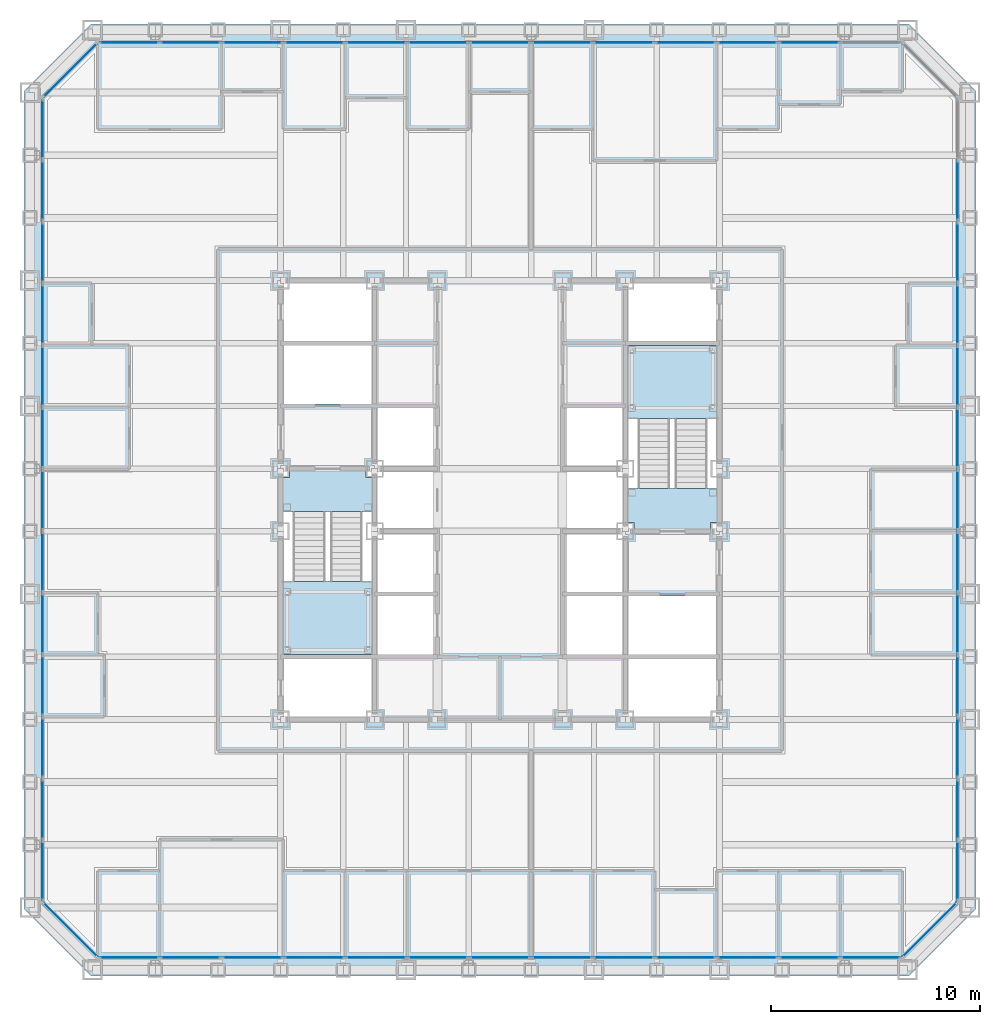
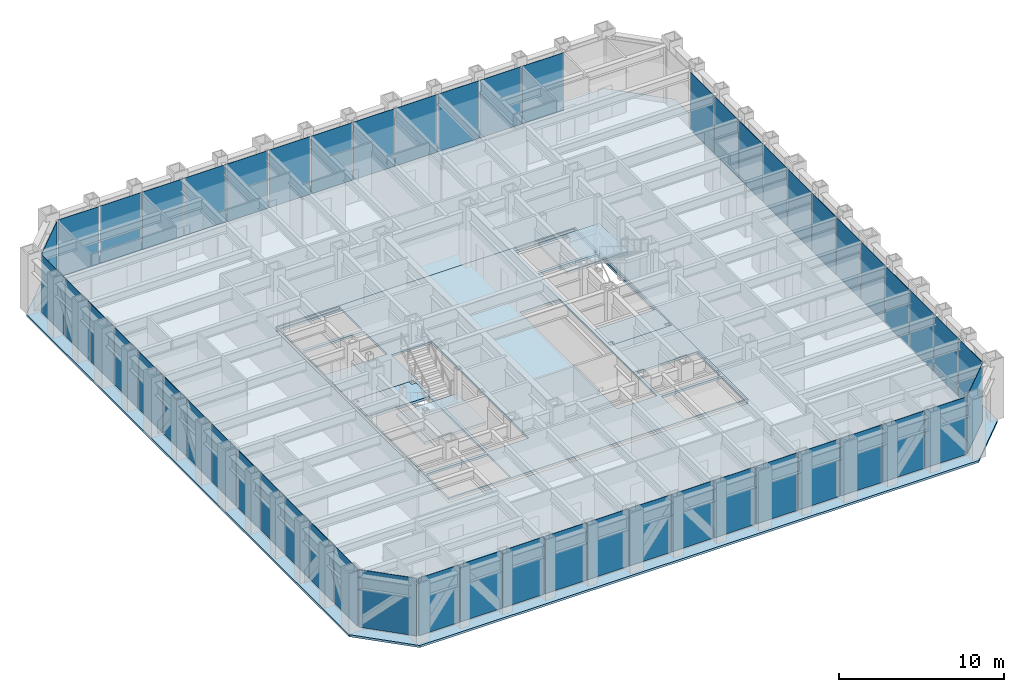
# One storey, part 7 of 16: 53 plates, 6 slabs, 9 elements without a shape of their own.
"""IFC4 building model written with IfcOpenShell, lengths in metres."""

from ifc_helpers import new_model, si_unit, direction, frame, origin, origin_2d, place, context, subcontext, project, spatial, polyline, rectangle, outline, extrude, material, layer, layer_set, type_object, element, aggregate, save


model = new_model("IFC4")

# Units and contexts
model_context = context("Model", 3, precision=1e-05, world=origin(), true_north=direction((0.0, 1.0)))
body_context = subcontext(model_context, "Body", "Model", "MODEL_VIEW")
ifc_project = project(units=[si_unit("LENGTHUNIT", "METRE"), si_unit("AREAUNIT", "SQUARE_METRE"), si_unit("VOLUMEUNIT", "CUBIC_METRE"), si_unit("PLANEANGLEUNIT", "RADIAN"), si_unit("MASSUNIT", "GRAM", prefix="KILO")], contexts=[model_context])

# Site, building, storey
site_placement = place(None, origin())
site = spatial("IfcSite", under=ifc_project, at=site_placement, CompositionType="ELEMENT")
building_placement = place(site_placement, origin())
building = spatial("IfcBuilding", under=site, at=building_placement, Name="Chuquiago Exchange Tower", CompositionType="ELEMENT")
storey_placement = place(building_placement, frame((0.0, 0.0, 60.300048828125)))
storey = spatial("IfcBuildingStorey", under=building, at=storey_placement, Name="L12", CompositionType="ELEMENT", Elevation=60.300048828125)

# Curtain wall, plates
ifc_material_1 = material(Name="Aluminium curtain wall system", Category="aluminium")
ifc_layer_1 = layer(ifc_material_1, 0.25)
ifc_layer_set_1 = layer_set([ifc_layer_1], Name="CW1 trading floor curtain wall")
curtain_wall_type_1 = type_object("IfcCurtainWallType", Name="CW1 trading floor curtain wall", PredefinedType="NOTDEFINED", material=ifc_layer_set_1)
curtain_wall_1_placement = place(storey_placement, origin())
curtain_wall_1 = element("IfcCurtainWall", 1, at=curtain_wall_1_placement, inside=storey, type_object=curtain_wall_type_1, Name="CW1 curtain wall L12", PredefinedType="NOTDEFINED")
ifc_material_2 = material(Name="Glass, insulating unit", Category="glass")
ifc_layer_2 = layer(ifc_material_2, 0.031982421875)
ifc_layer_set_2 = layer_set([ifc_layer_2], Name="CW1-P panel 32")
plate_type_1 = type_object("IfcPlateType", Name="CW1-P panel 32", PredefinedType="CURTAIN_PANEL", material=ifc_layer_set_2)
plate_1_placement = place(storey_placement, frame((10.65283203125, 0.60009765625, -0.22509765625), z_axis=(0.0, 0.0, 1.0), x_axis=(1.0, 0.0, 0.0)))
plate_1 = element("IfcPlate", 2, at=plate_1_placement, type_object=plate_type_1, Name="CW1 panel 3.1", PredefinedType="CURTAIN_PANEL", context=body_context, shape_type="SweptSolid", body=[
    extrude(rectangle(XDim=2.88671875, YDim=0.031982421875, at=origin_2d()), origin(), (0.0, 0.0, 1.0), 4.264892578125),
])
plate_2_placement = place(storey_placement, frame((13.61474609375, 0.60009765625, -0.22509765625), z_axis=(0.0, 0.0, 1.0), x_axis=(1.0, 0.0, 0.0)))
plate_2 = element("IfcPlate", 3, at=plate_2_placement, type_object=plate_type_1, Name="CW1 panel 4.1", PredefinedType="CURTAIN_PANEL", context=body_context, shape_type="SweptSolid", body=[
    extrude(rectangle(XDim=2.88671875, YDim=0.031982421875, at=origin_2d()), origin(), (0.0, 0.0, 1.0), 4.264892578125),
])
plate_3_placement = place(storey_placement, frame((16.576416015625, 0.60009765625, -0.22509765625), z_axis=(0.0, 0.0, 1.0), x_axis=(1.0, 0.0, 0.0)))
plate_3 = element("IfcPlate", 4, at=plate_3_placement, type_object=plate_type_1, Name="CW1 panel 5.1", PredefinedType="CURTAIN_PANEL", context=body_context, shape_type="SweptSolid", body=[
    extrude(rectangle(XDim=2.88671875, YDim=0.031982421875, at=origin_2d()), origin(), (0.0, 0.0, 1.0), 4.264892578125),
])
plate_4_placement = place(storey_placement, frame((25.461669921875, 0.60009765625, -0.22509765625), z_axis=(0.0, 0.0, 1.0), x_axis=(1.0, 0.0, 0.0)))
plate_4 = element("IfcPlate", 5, at=plate_4_placement, type_object=plate_type_1, Name="CW1 panel 8.1", PredefinedType="CURTAIN_PANEL", context=body_context, shape_type="SweptSolid", body=[
    extrude(rectangle(XDim=2.88671875, YDim=0.031982421875, at=origin_2d()), origin(), (0.0, 0.0, 1.0), 4.264892578125),
])
plate_5_placement = place(storey_placement, frame((28.423583984375, 0.60009765625, -0.22509765625), z_axis=(0.0, 0.0, 1.0), x_axis=(1.0, 0.0, 0.0)))
plate_5 = element("IfcPlate", 6, at=plate_5_placement, type_object=plate_type_1, Name="CW1 panel 9.1", PredefinedType="CURTAIN_PANEL", context=body_context, shape_type="SweptSolid", body=[
    extrude(rectangle(XDim=2.88671875, YDim=0.031982421875, at=origin_2d()), origin(), (0.0, 0.0, 1.0), 4.264892578125),
])
plate_6_placement = place(storey_placement, frame((31.38525390625, 0.60009765625, -0.22509765625), z_axis=(0.0, 0.0, 1.0), x_axis=(1.0, 0.0, 0.0)))
plate_6 = element("IfcPlate", 7, at=plate_6_placement, type_object=plate_type_1, Name="CW1 panel 10.1", PredefinedType="CURTAIN_PANEL", context=body_context, shape_type="SweptSolid", body=[
    extrude(rectangle(XDim=2.88671875, YDim=0.031982421875, at=origin_2d()), origin(), (0.0, 0.0, 1.0), 4.264892578125),
])
plate_7_placement = place(storey_placement, frame((34.34716796875, 0.60009765625, -0.22509765625), z_axis=(0.0, 0.0, 1.0), x_axis=(1.0, 0.0, 0.0)))
plate_7 = element("IfcPlate", 8, at=plate_7_placement, type_object=plate_type_1, Name="CW1 panel 11.1", PredefinedType="CURTAIN_PANEL", context=body_context, shape_type="SweptSolid", body=[
    extrude(rectangle(XDim=2.88671875, YDim=0.031982421875, at=origin_2d()), origin(), (0.0, 0.0, 1.0), 4.264892578125),
])

curtain_wall_2_placement = place(storey_placement, origin())
curtain_wall_2 = element("IfcCurtainWall", 9, at=curtain_wall_2_placement, inside=storey, type_object=curtain_wall_type_1, Name="CW1 curtain wall L12", PredefinedType="NOTDEFINED")
plate_8_placement = place(storey_placement, frame((44.39990234375, 10.65283203125, -0.22509765625), z_axis=(0.0, 0.0, 1.0), x_axis=(0.0, 1.0, 0.0)))
plate_8 = element("IfcPlate", 10, at=plate_8_placement, type_object=plate_type_1, Name="CW1 panel 3.1", PredefinedType="CURTAIN_PANEL", context=body_context, shape_type="SweptSolid", body=[
    extrude(rectangle(XDim=2.88671875, YDim=0.031982421875, at=origin_2d()), origin(), (0.0, 0.0, 1.0), 4.264892578125),
])
plate_9_placement = place(storey_placement, frame((44.39990234375, 13.61474609375, -0.22509765625), z_axis=(0.0, 0.0, 1.0), x_axis=(0.0, 1.0, 0.0)))
plate_9 = element("IfcPlate", 11, at=plate_9_placement, type_object=plate_type_1, Name="CW1 panel 4.1", PredefinedType="CURTAIN_PANEL", context=body_context, shape_type="SweptSolid", body=[
    extrude(rectangle(XDim=2.88671875, YDim=0.031982421875, at=origin_2d()), origin(), (0.0, 0.0, 1.0), 4.264892578125),
])
plate_10_placement = place(storey_placement, frame((44.39990234375, 16.576416015625, -0.22509765625), z_axis=(0.0, 0.0, 1.0), x_axis=(0.0, 1.0, 0.0)))
plate_10 = element("IfcPlate", 12, at=plate_10_placement, type_object=plate_type_1, Name="CW1 panel 5.1", PredefinedType="CURTAIN_PANEL", context=body_context, shape_type="SweptSolid", body=[
    extrude(rectangle(XDim=2.88671875, YDim=0.031982421875, at=origin_2d()), origin(), (0.0, 0.0, 1.0), 4.264892578125),
])
plate_11_placement = place(storey_placement, frame((44.39990234375, 25.461669921875, -0.22509765625), z_axis=(0.0, 0.0, 1.0), x_axis=(0.0, 1.0, 0.0)))
plate_11 = element("IfcPlate", 13, at=plate_11_placement, type_object=plate_type_1, Name="CW1 panel 8.1", PredefinedType="CURTAIN_PANEL", context=body_context, shape_type="SweptSolid", body=[
    extrude(rectangle(XDim=2.88671875, YDim=0.031982421875, at=origin_2d()), origin(), (0.0, 0.0, 1.0), 4.264892578125),
])
plate_12_placement = place(storey_placement, frame((44.39990234375, 28.423583984375, -0.22509765625), z_axis=(0.0, 0.0, 1.0), x_axis=(0.0, 1.0, 0.0)))
plate_12 = element("IfcPlate", 14, at=plate_12_placement, type_object=plate_type_1, Name="CW1 panel 9.1", PredefinedType="CURTAIN_PANEL", context=body_context, shape_type="SweptSolid", body=[
    extrude(rectangle(XDim=2.88671875, YDim=0.031982421875, at=origin_2d()), origin(), (0.0, 0.0, 1.0), 4.264892578125),
])
plate_13_placement = place(storey_placement, frame((44.39990234375, 31.38525390625, -0.22509765625), z_axis=(0.0, 0.0, 1.0), x_axis=(0.0, 1.0, 0.0)))
plate_13 = element("IfcPlate", 15, at=plate_13_placement, type_object=plate_type_1, Name="CW1 panel 10.1", PredefinedType="CURTAIN_PANEL", context=body_context, shape_type="SweptSolid", body=[
    extrude(rectangle(XDim=2.88671875, YDim=0.031982421875, at=origin_2d()), origin(), (0.0, 0.0, 1.0), 4.264892578125),
])
plate_14_placement = place(storey_placement, frame((44.39990234375, 34.34716796875, -0.22509765625), z_axis=(0.0, 0.0, 1.0), x_axis=(0.0, 1.0, 0.0)))
plate_14 = element("IfcPlate", 16, at=plate_14_placement, type_object=plate_type_1, Name="CW1 panel 11.1", PredefinedType="CURTAIN_PANEL", context=body_context, shape_type="SweptSolid", body=[
    extrude(rectangle(XDim=2.88671875, YDim=0.031982421875, at=origin_2d()), origin(), (0.0, 0.0, 1.0), 4.264892578125),
])

curtain_wall_3_placement = place(storey_placement, origin())
curtain_wall_3 = element("IfcCurtainWall", 17, at=curtain_wall_3_placement, inside=storey, type_object=curtain_wall_type_1, Name="CW1 curtain wall L12", PredefinedType="NOTDEFINED")
plate_15_placement = place(storey_placement, frame((34.34716796875, 44.39990234375, -0.22509765625), z_axis=(0.0, 0.0, 1.0), x_axis=(-1.0, 0.0, 0.0)))
plate_15 = element("IfcPlate", 18, at=plate_15_placement, type_object=plate_type_1, Name="CW1 panel 3.1", PredefinedType="CURTAIN_PANEL", context=body_context, shape_type="SweptSolid", body=[
    extrude(rectangle(XDim=2.88671875, YDim=0.031982421875, at=origin_2d()), origin(), (0.0, 0.0, 1.0), 4.264892578125),
])
plate_16_placement = place(storey_placement, frame((31.38525390625, 44.39990234375, -0.22509765625), z_axis=(0.0, 0.0, 1.0), x_axis=(-1.0, 0.0, 0.0)))
plate_16 = element("IfcPlate", 19, at=plate_16_placement, type_object=plate_type_1, Name="CW1 panel 4.1", PredefinedType="CURTAIN_PANEL", context=body_context, shape_type="SweptSolid", body=[
    extrude(rectangle(XDim=2.88671875, YDim=0.031982421875, at=origin_2d()), origin(), (0.0, 0.0, 1.0), 4.264892578125),
])
plate_17_placement = place(storey_placement, frame((28.423583984375, 44.39990234375, -0.22509765625), z_axis=(0.0, 0.0, 1.0), x_axis=(-1.0, 0.0, 0.0)))
plate_17 = element("IfcPlate", 20, at=plate_17_placement, type_object=plate_type_1, Name="CW1 panel 5.1", PredefinedType="CURTAIN_PANEL", context=body_context, shape_type="SweptSolid", body=[
    extrude(rectangle(XDim=2.88671875, YDim=0.031982421875, at=origin_2d()), origin(), (0.0, 0.0, 1.0), 4.264892578125),
])
plate_18_placement = place(storey_placement, frame((19.538330078125, 44.39990234375, -0.22509765625), z_axis=(0.0, 0.0, 1.0), x_axis=(-1.0, 0.0, 0.0)))
plate_18 = element("IfcPlate", 21, at=plate_18_placement, type_object=plate_type_1, Name="CW1 panel 8.1", PredefinedType="CURTAIN_PANEL", context=body_context, shape_type="SweptSolid", body=[
    extrude(rectangle(XDim=2.88671875, YDim=0.031982421875, at=origin_2d()), origin(), (0.0, 0.0, 1.0), 4.264892578125),
])
plate_19_placement = place(storey_placement, frame((16.576416015625, 44.39990234375, -0.22509765625), z_axis=(0.0, 0.0, 1.0), x_axis=(-1.0, 0.0, 0.0)))
plate_19 = element("IfcPlate", 22, at=plate_19_placement, type_object=plate_type_1, Name="CW1 panel 9.1", PredefinedType="CURTAIN_PANEL", context=body_context, shape_type="SweptSolid", body=[
    extrude(rectangle(XDim=2.88671875, YDim=0.031982421875, at=origin_2d()), origin(), (0.0, 0.0, 1.0), 4.264892578125),
])
plate_20_placement = place(storey_placement, frame((13.61474609375, 44.39990234375, -0.22509765625), z_axis=(0.0, 0.0, 1.0), x_axis=(-1.0, 0.0, 0.0)))
plate_20 = element("IfcPlate", 23, at=plate_20_placement, type_object=plate_type_1, Name="CW1 panel 10.1", PredefinedType="CURTAIN_PANEL", context=body_context, shape_type="SweptSolid", body=[
    extrude(rectangle(XDim=2.88671875, YDim=0.031982421875, at=origin_2d()), origin(), (0.0, 0.0, 1.0), 4.264892578125),
])
plate_21_placement = place(storey_placement, frame((10.65283203125, 44.39990234375, -0.22509765625), z_axis=(0.0, 0.0, 1.0), x_axis=(-1.0, 0.0, 0.0)))
plate_21 = element("IfcPlate", 24, at=plate_21_placement, type_object=plate_type_1, Name="CW1 panel 11.1", PredefinedType="CURTAIN_PANEL", context=body_context, shape_type="SweptSolid", body=[
    extrude(rectangle(XDim=2.88671875, YDim=0.031982421875, at=origin_2d()), origin(), (0.0, 0.0, 1.0), 4.264892578125),
])

curtain_wall_4_placement = place(storey_placement, origin())
curtain_wall_4 = element("IfcCurtainWall", 25, at=curtain_wall_4_placement, inside=storey, type_object=curtain_wall_type_1, Name="CW1 curtain wall L12", PredefinedType="NOTDEFINED")
plate_22_placement = place(storey_placement, frame((0.60009765625, 34.34716796875, -0.22509765625), z_axis=(0.0, 0.0, 1.0), x_axis=(0.0, -1.0, 0.0)))
plate_22 = element("IfcPlate", 26, at=plate_22_placement, type_object=plate_type_1, Name="CW1 panel 3.1", PredefinedType="CURTAIN_PANEL", context=body_context, shape_type="SweptSolid", body=[
    extrude(rectangle(XDim=2.88671875, YDim=0.031982421875, at=origin_2d()), origin(), (0.0, 0.0, 1.0), 4.264892578125),
])
plate_23_placement = place(storey_placement, frame((0.60009765625, 31.38525390625, -0.22509765625), z_axis=(0.0, 0.0, 1.0), x_axis=(0.0, -1.0, 0.0)))
plate_23 = element("IfcPlate", 27, at=plate_23_placement, type_object=plate_type_1, Name="CW1 panel 4.1", PredefinedType="CURTAIN_PANEL", context=body_context, shape_type="SweptSolid", body=[
    extrude(rectangle(XDim=2.88671875, YDim=0.031982421875, at=origin_2d()), origin(), (0.0, 0.0, 1.0), 4.264892578125),
])
plate_24_placement = place(storey_placement, frame((0.60009765625, 28.423583984375, -0.22509765625), z_axis=(0.0, 0.0, 1.0), x_axis=(0.0, -1.0, 0.0)))
plate_24 = element("IfcPlate", 28, at=plate_24_placement, type_object=plate_type_1, Name="CW1 panel 5.1", PredefinedType="CURTAIN_PANEL", context=body_context, shape_type="SweptSolid", body=[
    extrude(rectangle(XDim=2.88671875, YDim=0.031982421875, at=origin_2d()), origin(), (0.0, 0.0, 1.0), 4.264892578125),
])
plate_25_placement = place(storey_placement, frame((0.60009765625, 19.538330078125, -0.22509765625), z_axis=(0.0, 0.0, 1.0), x_axis=(0.0, -1.0, 0.0)))
plate_25 = element("IfcPlate", 29, at=plate_25_placement, type_object=plate_type_1, Name="CW1 panel 8.1", PredefinedType="CURTAIN_PANEL", context=body_context, shape_type="SweptSolid", body=[
    extrude(rectangle(XDim=2.88671875, YDim=0.031982421875, at=origin_2d()), origin(), (0.0, 0.0, 1.0), 4.264892578125),
])
plate_26_placement = place(storey_placement, frame((0.60009765625, 16.576416015625, -0.22509765625), z_axis=(0.0, 0.0, 1.0), x_axis=(0.0, -1.0, 0.0)))
plate_26 = element("IfcPlate", 30, at=plate_26_placement, type_object=plate_type_1, Name="CW1 panel 9.1", PredefinedType="CURTAIN_PANEL", context=body_context, shape_type="SweptSolid", body=[
    extrude(rectangle(XDim=2.88671875, YDim=0.031982421875, at=origin_2d()), origin(), (0.0, 0.0, 1.0), 4.264892578125),
])
plate_27_placement = place(storey_placement, frame((0.60009765625, 13.61474609375, -0.22509765625), z_axis=(0.0, 0.0, 1.0), x_axis=(0.0, -1.0, 0.0)))
plate_27 = element("IfcPlate", 31, at=plate_27_placement, type_object=plate_type_1, Name="CW1 panel 10.1", PredefinedType="CURTAIN_PANEL", context=body_context, shape_type="SweptSolid", body=[
    extrude(rectangle(XDim=2.88671875, YDim=0.031982421875, at=origin_2d()), origin(), (0.0, 0.0, 1.0), 4.264892578125),
])
plate_28_placement = place(storey_placement, frame((0.60009765625, 10.65283203125, -0.22509765625), z_axis=(0.0, 0.0, 1.0), x_axis=(0.0, -1.0, 0.0)))
plate_28 = element("IfcPlate", 32, at=plate_28_placement, type_object=plate_type_1, Name="CW1 panel 11.1", PredefinedType="CURTAIN_PANEL", context=body_context, shape_type="SweptSolid", body=[
    extrude(rectangle(XDim=2.88671875, YDim=0.031982421875, at=origin_2d()), origin(), (0.0, 0.0, 1.0), 4.264892578125),
])

# Plate
ifc_material_3 = material(Name="Insulated spandrel panel, pale anodised aluminium", Category="aluminium")
ifc_layer_3 = layer(ifc_material_3, 0.031982421875)
ifc_layer_set_3 = layer_set([ifc_layer_3], Name="CW1-P spandrel panel 32")
plate_type_2 = type_object("IfcPlateType", Name="CW1-P spandrel panel 32", PredefinedType="CURTAIN_PANEL", material=ifc_layer_set_3)
plate_29_placement = place(storey_placement, frame((4.748046875, 0.60009765625, -0.22509765625), z_axis=(0.0, 0.0, 1.0), x_axis=(1.0, 0.0, 0.0)))
plate_29 = element("IfcPlate", 33, at=plate_29_placement, type_object=plate_type_2, Name="CW1 panel 1.1", PredefinedType="CURTAIN_PANEL", context=body_context, shape_type="SweptSolid", body=[
    extrude(rectangle(XDim=2.849365234375, YDim=0.031982421875, at=origin_2d()), origin(), (0.0, 0.0, 1.0), 4.264892578125),
])

plate_30_placement = place(storey_placement, frame((7.691162109375, 0.60009765625, -0.22509765625), z_axis=(0.0, 0.0, 1.0), x_axis=(1.0, 0.0, 0.0)))
plate_30 = element("IfcPlate", 34, at=plate_30_placement, type_object=plate_type_2, Name="CW1 panel 2.1", PredefinedType="CURTAIN_PANEL", context=body_context, shape_type="SweptSolid", body=[
    extrude(rectangle(XDim=2.88671875, YDim=0.031982421875, at=origin_2d()), origin(), (0.0, 0.0, 1.0), 4.264892578125),
])

plate_31_placement = place(storey_placement, frame((19.538330078125, 0.60009765625, -0.22509765625), z_axis=(0.0, 0.0, 1.0), x_axis=(1.0, 0.0, 0.0)))
plate_31 = element("IfcPlate", 35, at=plate_31_placement, type_object=plate_type_2, Name="CW1 panel 6.1", PredefinedType="CURTAIN_PANEL", context=body_context, shape_type="SweptSolid", body=[
    extrude(rectangle(XDim=2.88671875, YDim=0.031982421875, at=origin_2d()), origin(), (0.0, 0.0, 1.0), 4.264892578125),
])

plate_32_placement = place(storey_placement, frame((22.5, 0.60009765625, -0.22509765625), z_axis=(0.0, 0.0, 1.0), x_axis=(1.0, 0.0, 0.0)))
plate_32 = element("IfcPlate", 36, at=plate_32_placement, type_object=plate_type_2, Name="CW1 panel 7.1", PredefinedType="CURTAIN_PANEL", context=body_context, shape_type="SweptSolid", body=[
    extrude(rectangle(XDim=2.88671875, YDim=0.031982421875, at=origin_2d()), origin(), (0.0, 0.0, 1.0), 4.264892578125),
])

plate_33_placement = place(storey_placement, frame((37.308837890625, 0.60009765625, -0.22509765625), z_axis=(0.0, 0.0, 1.0), x_axis=(1.0, 0.0, 0.0)))
plate_33 = element("IfcPlate", 37, at=plate_33_placement, type_object=plate_type_2, Name="CW1 panel 12.1", PredefinedType="CURTAIN_PANEL", context=body_context, shape_type="SweptSolid", body=[
    extrude(rectangle(XDim=2.88671875, YDim=0.031982421875, at=origin_2d()), origin(), (0.0, 0.0, 1.0), 4.264892578125),
])

plate_34_placement = place(storey_placement, frame((40.251953125, 0.60009765625, -0.22509765625), z_axis=(0.0, 0.0, 1.0), x_axis=(1.0, 0.0, 0.0)))
plate_34 = element("IfcPlate", 38, at=plate_34_placement, type_object=plate_type_2, Name="CW1 panel 13.1", PredefinedType="CURTAIN_PANEL", context=body_context, shape_type="SweptSolid", body=[
    extrude(rectangle(XDim=2.849365234375, YDim=0.031982421875, at=origin_2d()), origin(), (0.0, 0.0, 1.0), 4.264892578125),
])

aggregate(curtain_wall_1, [plate_29, plate_30, plate_1, plate_2, plate_3, plate_31, plate_32, plate_4, plate_5, plate_6, plate_7, plate_33, plate_34])

plate_35_placement = place(storey_placement, frame((44.39990234375, 4.748046875, -0.22509765625), z_axis=(0.0, 0.0, 1.0), x_axis=(0.0, 1.0, 0.0)))
plate_35 = element("IfcPlate", 39, at=plate_35_placement, type_object=plate_type_2, Name="CW1 panel 1.1", PredefinedType="CURTAIN_PANEL", context=body_context, shape_type="SweptSolid", body=[
    extrude(rectangle(XDim=2.849365234375, YDim=0.031982421875, at=origin_2d()), origin(), (0.0, 0.0, 1.0), 4.264892578125),
])

plate_36_placement = place(storey_placement, frame((44.39990234375, 7.691162109375, -0.22509765625), z_axis=(0.0, 0.0, 1.0), x_axis=(0.0, 1.0, 0.0)))
plate_36 = element("IfcPlate", 40, at=plate_36_placement, type_object=plate_type_2, Name="CW1 panel 2.1", PredefinedType="CURTAIN_PANEL", context=body_context, shape_type="SweptSolid", body=[
    extrude(rectangle(XDim=2.88671875, YDim=0.031982421875, at=origin_2d()), origin(), (0.0, 0.0, 1.0), 4.264892578125),
])

plate_37_placement = place(storey_placement, frame((44.39990234375, 19.538330078125, -0.22509765625), z_axis=(0.0, 0.0, 1.0), x_axis=(0.0, 1.0, 0.0)))
plate_37 = element("IfcPlate", 41, at=plate_37_placement, type_object=plate_type_2, Name="CW1 panel 6.1", PredefinedType="CURTAIN_PANEL", context=body_context, shape_type="SweptSolid", body=[
    extrude(rectangle(XDim=2.88671875, YDim=0.031982421875, at=origin_2d()), origin(), (0.0, 0.0, 1.0), 4.264892578125),
])

plate_38_placement = place(storey_placement, frame((44.39990234375, 22.5, -0.22509765625), z_axis=(0.0, 0.0, 1.0), x_axis=(0.0, 1.0, 0.0)))
plate_38 = element("IfcPlate", 42, at=plate_38_placement, type_object=plate_type_2, Name="CW1 panel 7.1", PredefinedType="CURTAIN_PANEL", context=body_context, shape_type="SweptSolid", body=[
    extrude(rectangle(XDim=2.88671875, YDim=0.031982421875, at=origin_2d()), origin(), (0.0, 0.0, 1.0), 4.264892578125),
])

plate_39_placement = place(storey_placement, frame((44.39990234375, 37.308837890625, -0.22509765625), z_axis=(0.0, 0.0, 1.0), x_axis=(0.0, 1.0, 0.0)))
plate_39 = element("IfcPlate", 43, at=plate_39_placement, type_object=plate_type_2, Name="CW1 panel 12.1", PredefinedType="CURTAIN_PANEL", context=body_context, shape_type="SweptSolid", body=[
    extrude(rectangle(XDim=2.88671875, YDim=0.031982421875, at=origin_2d()), origin(), (0.0, 0.0, 1.0), 4.264892578125),
])

aggregate(curtain_wall_2, [plate_35, plate_36, plate_8, plate_9, plate_10, plate_37, plate_38, plate_11, plate_12, plate_13, plate_14, plate_39])

plate_40_placement = place(storey_placement, frame((37.308837890625, 44.39990234375, -0.22509765625), z_axis=(0.0, 0.0, 1.0), x_axis=(-1.0, 0.0, 0.0)))
plate_40 = element("IfcPlate", 44, at=plate_40_placement, type_object=plate_type_2, Name="CW1 panel 2.1", PredefinedType="CURTAIN_PANEL", context=body_context, shape_type="SweptSolid", body=[
    extrude(rectangle(XDim=2.88671875, YDim=0.031982421875, at=origin_2d()), origin(), (0.0, 0.0, 1.0), 4.264892578125),
])

plate_41_placement = place(storey_placement, frame((25.461669921875, 44.39990234375, -0.22509765625), z_axis=(0.0, 0.0, 1.0), x_axis=(-1.0, 0.0, 0.0)))
plate_41 = element("IfcPlate", 45, at=plate_41_placement, type_object=plate_type_2, Name="CW1 panel 6.1", PredefinedType="CURTAIN_PANEL", context=body_context, shape_type="SweptSolid", body=[
    extrude(rectangle(XDim=2.88671875, YDim=0.031982421875, at=origin_2d()), origin(), (0.0, 0.0, 1.0), 4.264892578125),
])

plate_42_placement = place(storey_placement, frame((22.5, 44.39990234375, -0.22509765625), z_axis=(0.0, 0.0, 1.0), x_axis=(-1.0, 0.0, 0.0)))
plate_42 = element("IfcPlate", 46, at=plate_42_placement, type_object=plate_type_2, Name="CW1 panel 7.1", PredefinedType="CURTAIN_PANEL", context=body_context, shape_type="SweptSolid", body=[
    extrude(rectangle(XDim=2.88671875, YDim=0.031982421875, at=origin_2d()), origin(), (0.0, 0.0, 1.0), 4.264892578125),
])

plate_43_placement = place(storey_placement, frame((7.691162109375, 44.39990234375, -0.22509765625), z_axis=(0.0, 0.0, 1.0), x_axis=(-1.0, 0.0, 0.0)))
plate_43 = element("IfcPlate", 47, at=plate_43_placement, type_object=plate_type_2, Name="CW1 panel 12.1", PredefinedType="CURTAIN_PANEL", context=body_context, shape_type="SweptSolid", body=[
    extrude(rectangle(XDim=2.88671875, YDim=0.031982421875, at=origin_2d()), origin(), (0.0, 0.0, 1.0), 4.264892578125),
])

plate_44_placement = place(storey_placement, frame((4.748046875, 44.39990234375, -0.22509765625), z_axis=(0.0, 0.0, 1.0), x_axis=(-1.0, 0.0, 0.0)))
plate_44 = element("IfcPlate", 48, at=plate_44_placement, type_object=plate_type_2, Name="CW1 panel 13.1", PredefinedType="CURTAIN_PANEL", context=body_context, shape_type="SweptSolid", body=[
    extrude(rectangle(XDim=2.849365234375, YDim=0.031982421875, at=origin_2d()), origin(), (0.0, 0.0, 1.0), 4.264892578125),
])

aggregate(curtain_wall_3, [plate_40, plate_15, plate_16, plate_17, plate_41, plate_42, plate_18, plate_19, plate_20, plate_21, plate_43, plate_44])

plate_45_placement = place(storey_placement, frame((0.60009765625, 40.251953125, -0.22509765625), z_axis=(0.0, 0.0, 1.0), x_axis=(0.0, -1.0, 0.0)))
plate_45 = element("IfcPlate", 49, at=plate_45_placement, type_object=plate_type_2, Name="CW1 panel 1.1", PredefinedType="CURTAIN_PANEL", context=body_context, shape_type="SweptSolid", body=[
    extrude(rectangle(XDim=2.849365234375, YDim=0.031982421875, at=origin_2d()), origin(), (0.0, 0.0, 1.0), 4.264892578125),
])

plate_46_placement = place(storey_placement, frame((0.60009765625, 37.308837890625, -0.22509765625), z_axis=(0.0, 0.0, 1.0), x_axis=(0.0, -1.0, 0.0)))
plate_46 = element("IfcPlate", 50, at=plate_46_placement, type_object=plate_type_2, Name="CW1 panel 2.1", PredefinedType="CURTAIN_PANEL", context=body_context, shape_type="SweptSolid", body=[
    extrude(rectangle(XDim=2.88671875, YDim=0.031982421875, at=origin_2d()), origin(), (0.0, 0.0, 1.0), 4.264892578125),
])

plate_47_placement = place(storey_placement, frame((0.60009765625, 25.461669921875, -0.22509765625), z_axis=(0.0, 0.0, 1.0), x_axis=(0.0, -1.0, 0.0)))
plate_47 = element("IfcPlate", 51, at=plate_47_placement, type_object=plate_type_2, Name="CW1 panel 6.1", PredefinedType="CURTAIN_PANEL", context=body_context, shape_type="SweptSolid", body=[
    extrude(rectangle(XDim=2.88671875, YDim=0.031982421875, at=origin_2d()), origin(), (0.0, 0.0, 1.0), 4.264892578125),
])

plate_48_placement = place(storey_placement, frame((0.60009765625, 22.5, -0.22509765625), z_axis=(0.0, 0.0, 1.0), x_axis=(0.0, -1.0, 0.0)))
plate_48 = element("IfcPlate", 52, at=plate_48_placement, type_object=plate_type_2, Name="CW1 panel 7.1", PredefinedType="CURTAIN_PANEL", context=body_context, shape_type="SweptSolid", body=[
    extrude(rectangle(XDim=2.88671875, YDim=0.031982421875, at=origin_2d()), origin(), (0.0, 0.0, 1.0), 4.264892578125),
])

plate_49_placement = place(storey_placement, frame((0.60009765625, 7.691162109375, -0.22509765625), z_axis=(0.0, 0.0, 1.0), x_axis=(0.0, -1.0, 0.0)))
plate_49 = element("IfcPlate", 53, at=plate_49_placement, type_object=plate_type_2, Name="CW1 panel 12.1", PredefinedType="CURTAIN_PANEL", context=body_context, shape_type="SweptSolid", body=[
    extrude(rectangle(XDim=2.88671875, YDim=0.031982421875, at=origin_2d()), origin(), (0.0, 0.0, 1.0), 4.264892578125),
])

plate_50_placement = place(storey_placement, frame((0.60009765625, 4.748046875, -0.22509765625), z_axis=(0.0, 0.0, 1.0), x_axis=(0.0, -1.0, 0.0)))
plate_50 = element("IfcPlate", 54, at=plate_50_placement, type_object=plate_type_2, Name="CW1 panel 13.1", PredefinedType="CURTAIN_PANEL", context=body_context, shape_type="SweptSolid", body=[
    extrude(rectangle(XDim=2.849365234375, YDim=0.031982421875, at=origin_2d()), origin(), (0.0, 0.0, 1.0), 4.264892578125),
])

aggregate(curtain_wall_4, [plate_45, plate_46, plate_22, plate_23, plate_24, plate_47, plate_48, plate_25, plate_26, plate_27, plate_28, plate_49, plate_50])

# Curtain wall, plate
ifc_material_4 = material(Name="Aluminium curtain wall system", Category="aluminium")
ifc_layer_4 = layer(ifc_material_4, 0.199951171875)
ifc_layer_set_4 = layer_set([ifc_layer_4], Name="CW3 facet curtain wall")
curtain_wall_type_2 = type_object("IfcCurtainWallType", Name="CW3 facet curtain wall", PredefinedType="NOTDEFINED", material=ifc_layer_set_4)
curtain_wall_5_placement = place(storey_placement, origin())
curtain_wall_5 = element("IfcCurtainWall", 55, at=curtain_wall_5_placement, inside=storey, type_object=curtain_wall_type_2, Name="CW3 curtain wall L12", PredefinedType="NOTDEFINED")
ifc_material_5 = material(Name="Insulated spandrel panel, pale anodised aluminium", Category="aluminium")
ifc_layer_5 = layer(ifc_material_5, 0.030029296875)
ifc_layer_set_5 = layer_set([ifc_layer_5], Name="CW3-P spandrel panel 30")
plate_type_3 = type_object("IfcPlateType", Name="CW3-P spandrel panel 30", PredefinedType="CURTAIN_PANEL", material=ifc_layer_set_5)
plate_51_placement = place(storey_placement, frame((43.07568359375, 1.92431640625, -0.235107421875), z_axis=(0.0, 0.0, 1.0), x_axis=(0.707106781187, 0.707106781187, 0.0)))
plate_51 = element("IfcPlate", 56, at=plate_51_placement, type_object=plate_type_3, Name="CW3 panel 1.1", PredefinedType="CURTAIN_PANEL", context=body_context, shape_type="SweptSolid", body=[
    extrude(rectangle(XDim=3.615478515625, YDim=0.030029296875, at=origin_2d()), origin(), (0.0, 0.0, 1.0), 4.27490234375),
])
aggregate(curtain_wall_5, [plate_51])

curtain_wall_6_placement = place(storey_placement, origin())
curtain_wall_6 = element("IfcCurtainWall", 57, at=curtain_wall_6_placement, inside=storey, type_object=curtain_wall_type_2, Name="CW3 curtain wall L12", PredefinedType="NOTDEFINED")
plate_52_placement = place(storey_placement, frame((1.92431640625, 43.07568359375, -0.235107421875), z_axis=(0.0, 0.0, 1.0), x_axis=(-0.707106781187, -0.707106781187, 0.0)))
plate_52 = element("IfcPlate", 58, at=plate_52_placement, type_object=plate_type_3, Name="CW3 panel 1.1", PredefinedType="CURTAIN_PANEL", context=body_context, shape_type="SweptSolid", body=[
    extrude(rectangle(XDim=3.615478515625, YDim=0.030029296875, at=origin_2d()), origin(), (0.0, 0.0, 1.0), 4.27490234375),
])
aggregate(curtain_wall_6, [plate_52])

curtain_wall_7_placement = place(storey_placement, origin())
curtain_wall_7 = element("IfcCurtainWall", 59, at=curtain_wall_7_placement, inside=storey, type_object=curtain_wall_type_2, Name="CW3 curtain wall L12", PredefinedType="NOTDEFINED")
plate_53_placement = place(storey_placement, frame((1.92431640625, 1.92431640625, -0.235107421875), z_axis=(0.0, 0.0, 1.0), x_axis=(0.707106781187, -0.707106781187, 0.0)))
plate_53 = element("IfcPlate", 60, at=plate_53_placement, type_object=plate_type_3, Name="CW3 panel 1.1", PredefinedType="CURTAIN_PANEL", context=body_context, shape_type="SweptSolid", body=[
    extrude(rectangle(XDim=3.615478515625, YDim=0.030029296875, at=origin_2d()), origin(), (0.0, 0.0, 1.0), 4.27490234375),
])
aggregate(curtain_wall_7, [plate_53])

# Slabs
ifc_material_6 = material(Name="Concrete C30/37", Category="concrete")
ifc_layer_6 = layer(ifc_material_6, 0.159912109375)
ifc_layer_set_6 = layer_set([ifc_layer_6], Name="FS1 composite floor 160")
slab_type_1 = type_object("IfcSlabType", Name="FS1 composite floor 160", PredefinedType="FLOOR", material=ifc_layer_set_6)
slab_1_placement = place(storey_placement, frame((0.0, 0.0, -0.4599609375)))
element("IfcSlab", 61, at=slab_1_placement, inside=storey, type_object=slab_type_1, Name="L12 floor slab, lowered under the raised floor", PredefinedType="FLOOR", context=body_context, shape_type="SweptSolid", body=[
    extrude(outline(polyline([(-0.25, 2.896484375), (-0.25, 42.103515625), (2.896484375, 45.25), (42.103515625, 45.25), (45.25, 42.103515625), (45.25, 2.896484375), (42.103515625, -0.25), (2.896484375, -0.25), (-0.25, 2.896484375)]), holes=[polyline([(33.0, 33.0), (12.0, 33.0), (12.0, 12.0), (33.0, 12.0), (33.0, 33.0)])]), origin(), (0.0, 0.0, 1.0), 0.159912109375),
])
slab_2_placement = place(storey_placement, frame((0.0, 0.0, -0.16015625)))
element("IfcSlab", 62, at=slab_2_placement, inside=storey, type_object=slab_type_1, Name="L12 core floor slab", PredefinedType="FLOOR", context=body_context, shape_type="SweptSolid", body=[
    extrude(outline(polyline([(33.0, 12.0), (33.0, 33.0), (12.0, 33.0), (12.0, 12.0), (33.0, 12.0)]), holes=[polyline([(16.39990234375, 15.10009765625), (12.10009765625, 15.10009765625), (12.10009765625, 23.89990234375), (16.39990234375, 23.89990234375), (16.39990234375, 15.10009765625)]), polyline([(32.89990234375, 21.10009765625), (28.60009765625, 21.10009765625), (28.60009765625, 29.89990234375), (32.89990234375, 29.89990234375), (32.89990234375, 21.10009765625)]), polyline([(16.39990234375, 12.10009765625), (12.10009765625, 12.10009765625), (12.10009765625, 14.89990234375), (16.39990234375, 14.89990234375), (16.39990234375, 12.10009765625)]), polyline([(16.39990234375, 30.10009765625), (12.10009765625, 30.10009765625), (12.10009765625, 32.89990234375), (16.39990234375, 32.89990234375), (16.39990234375, 30.10009765625)]), polyline([(32.89990234375, 12.10009765625), (28.60009765625, 12.10009765625), (28.60009765625, 14.89990234375), (32.89990234375, 14.89990234375), (32.89990234375, 12.10009765625)]), polyline([(32.89990234375, 30.10009765625), (28.60009765625, 30.10009765625), (28.60009765625, 32.89990234375), (32.89990234375, 32.89990234375), (32.89990234375, 30.10009765625)]), polyline([(16.39990234375, 27.10009765625), (12.10009765625, 27.10009765625), (12.10009765625, 29.89990234375), (16.39990234375, 29.89990234375), (16.39990234375, 27.10009765625)]), polyline([(32.89990234375, 15.10009765625), (28.60009765625, 15.10009765625), (28.60009765625, 17.89990234375), (32.89990234375, 17.89990234375), (32.89990234375, 15.10009765625)]), polyline([(19.39990234375, 15.10009765625), (16.60009765625, 15.10009765625), (16.60009765625, 26.89990234375), (19.39990234375, 26.89990234375), (19.39990234375, 15.10009765625)]), polyline([(28.39990234375, 15.10009765625), (25.60009765625, 15.10009765625), (25.60009765625, 26.89990234375), (28.39990234375, 26.89990234375), (28.39990234375, 15.10009765625)])]), origin(), (0.0, 0.0, 1.0), 0.16015625),
])

# Stair, slabs
ifc_material_7 = material(Name="Concrete C30/37, precast", Category="concrete")
stair_type_1 = type_object("IfcStairType", Name="ST1 half-turn stair 4500", PredefinedType="HALF_TURN_STAIR", material=ifc_material_7)
stair_1_placement = place(storey_placement, origin())
stair_1 = element("IfcStair", 63, at=stair_1_placement, inside=storey, type_object=stair_type_1, Name="Stair ST1 L12", PredefinedType="HALF_TURN_STAIR")
ifc_material_8 = material(Name="Concrete C30/37, precast", Category="concrete")
ifc_layer_7 = layer(ifc_material_8, 0.199951171875)
ifc_layer_set_7 = layer_set([ifc_layer_7], Name="ST-L landing 200")
slab_type_2 = type_object("IfcSlabType", Name="ST-L landing 200", PredefinedType="LANDING", material=ifc_layer_set_7)
slab_3_placement = place(storey_placement, frame((0.0, 0.0, -0.199951171875)))
slab_3 = element("IfcSlab", 64, at=slab_3_placement, type_object=slab_type_2, Name="ST1 landing 1", PredefinedType="LANDING", context=body_context, shape_type="SweptSolid", body=[
    extrude(outline(polyline([(12.425048828125, 23.89990234375), (16.074951171875, 23.89990234375), (16.074951171875, 23.574951171875), (16.39990234375, 23.574951171875), (16.39990234375, 21.949951171875), (12.10009765625, 21.949951171875), (12.10009765625, 23.574951171875), (12.425048828125, 23.574951171875), (12.425048828125, 23.89990234375)])), origin(), (0.0, 0.0, 1.0), 0.199951171875),
])
slab_4_placement = place(storey_placement, frame((0.0, 0.0, 2.050048828125)))
slab_4 = element("IfcSlab", 65, at=slab_4_placement, type_object=slab_type_2, Name="ST1 landing 2", PredefinedType="LANDING", context=body_context, shape_type="SweptSolid", body=[
    extrude(outline(polyline([(12.10009765625, 18.590087890625), (16.39990234375, 18.590087890625), (16.39990234375, 15.10009765625), (12.10009765625, 15.10009765625), (12.10009765625, 18.590087890625)])), origin(), (0.0, 0.0, 1.0), 0.199951171875),
])
aggregate(stair_1, [slab_3, slab_4])

ifc_material_9 = material(Name="Concrete C30/37, precast", Category="concrete")
stair_type_2 = type_object("IfcStairType", Name="ST2 half-turn stair 4500", PredefinedType="HALF_TURN_STAIR", material=ifc_material_9)
stair_2_placement = place(storey_placement, origin())
stair_2 = element("IfcStair", 66, at=stair_2_placement, inside=storey, type_object=stair_type_2, Name="Stair ST2 L12", PredefinedType="HALF_TURN_STAIR")
slab_5_placement = place(storey_placement, frame((0.0, 0.0, -0.199951171875)))
slab_5 = element("IfcSlab", 67, at=slab_5_placement, type_object=slab_type_2, Name="ST2 landing 1", PredefinedType="LANDING", context=body_context, shape_type="SweptSolid", body=[
    extrude(outline(polyline([(32.574951171875, 21.425048828125), (32.574951171875, 21.10009765625), (28.925048828125, 21.10009765625), (28.925048828125, 21.425048828125), (28.60009765625, 21.425048828125), (28.60009765625, 23.050048828125), (32.89990234375, 23.050048828125), (32.89990234375, 21.425048828125), (32.574951171875, 21.425048828125)])), origin(), (0.0, 0.0, 1.0), 0.199951171875),
])
slab_6_placement = place(storey_placement, frame((0.0, 0.0, 2.050048828125)))
slab_6 = element("IfcSlab", 68, at=slab_6_placement, type_object=slab_type_2, Name="ST2 landing 2", PredefinedType="LANDING", context=body_context, shape_type="SweptSolid", body=[
    extrude(outline(polyline([(28.60009765625, 29.89990234375), (32.89990234375, 29.89990234375), (32.89990234375, 26.409912109375), (28.60009765625, 26.409912109375), (28.60009765625, 29.89990234375)])), origin(), (0.0, 0.0, 1.0), 0.199951171875),
])
aggregate(stair_2, [slab_5, slab_6])

save(model, "model.ifc")
